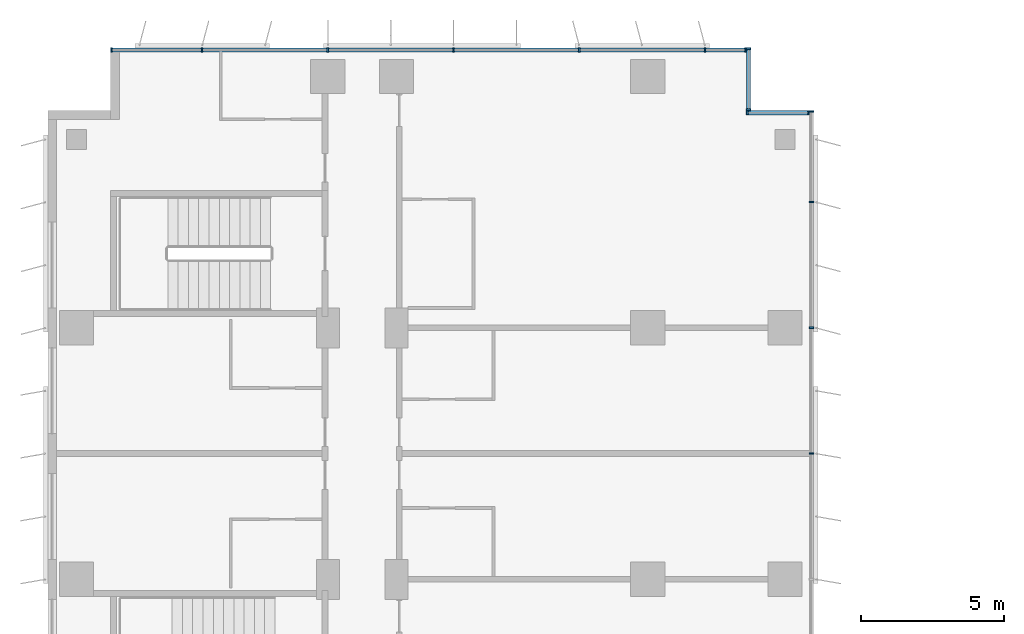
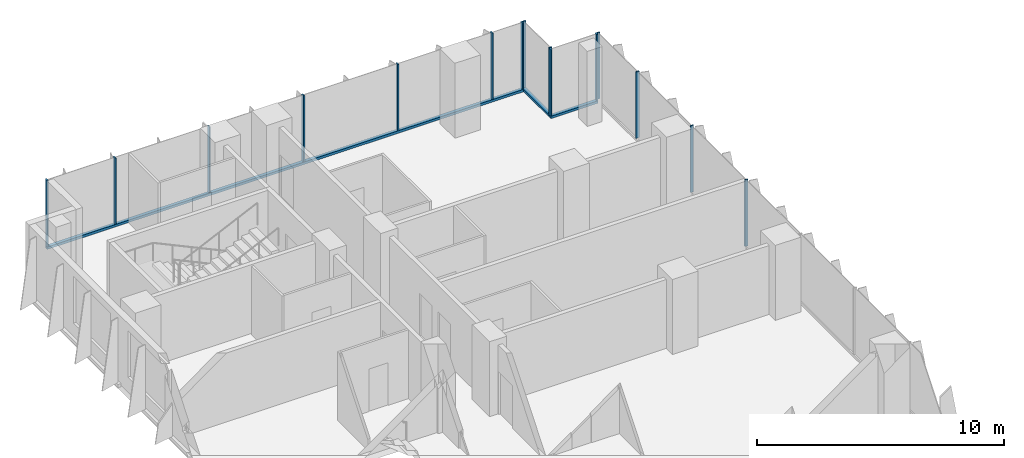
# One storey, part 9 of 23: 18 members, 4 elements without a shape of their own.
"""IFC4 building model written with IfcOpenShell, lengths in metres."""

import ifcopenshell
import ifcopenshell.guid

model = None  # the IFC model being written
_history = None  # IfcOwnerHistory: only IFC2X3 demands one
_inside = {}  # id of a spatial element -> (the spatial element, [elements in it])
_under = {}  # id of a project, library or spatial element -> (it, [spatial elements below it])
_declared = {}  # id of a project -> (the project, [libraries it declares])
_typed = {}  # id of a type object -> (the type object, [elements of that type])
_made_of = {}  # id of a material, layer set ... -> (it, [elements and type objects made of it])


def new_model(schema):
    """Start an empty IFC model of exactly this schema.

    Asked for "IFC4X3", IfcOpenShell would pick the latest addendum, in which some entities
    have other attributes; the version numbers below select the first issue.
    IFC2X3 requires an IfcOwnerHistory on every rooted entity: one is made here for all.
    """
    global model, _history
    if schema == "IFC4X3":
        model = ifcopenshell.file(schema_version=(4, 3, 0, 0))
    else:
        model = ifcopenshell.file(schema=schema)
    _inside.clear()
    _under.clear()
    _declared.clear()
    _typed.clear()
    _made_of.clear()
    _history = None
    if model.schema == "IFC2X3":
        org = make("IfcOrganization", Name="unknown")
        user = make(
            "IfcPersonAndOrganization",
            ThePerson=make("IfcPerson", FamilyName="unknown"),
            TheOrganization=org,
        )
        app = make(
            "IfcApplication",
            ApplicationDeveloper=org,
            Version="unknown",
            ApplicationFullName="unknown",
            ApplicationIdentifier="unknown",
        )
        _history = make(
            "IfcOwnerHistory",
            OwningUser=user,
            OwningApplication=app,
            ChangeAction="ADDED",
            CreationDate=0,
        )
    return model


def make(cls, **values):
    """One entity of the class cls with the attributes given. An attribute that is None is left unset."""
    return model.create_entity(
        cls, **{name: value for name, value in values.items() if value is not None}
    )


def rooted(cls, **values):
    """An entity with a GlobalId (a new one), such as an element, a storey or a relation."""
    return make(cls, GlobalId=ifcopenshell.guid.new(), OwnerHistory=_history, **values)


def si_unit(unit_type, name, prefix=None):
    """IfcSIUnit, for example si_unit("LENGTHUNIT", "METRE", prefix="MILLI")."""
    return make("IfcSIUnit", UnitType=unit_type, Prefix=prefix, Name=name)


def assignment(units):
    """IfcUnitAssignment: the units of a project."""
    return None if units is None else make("IfcUnitAssignment", Units=units)


def point(xyz):
    """IfcCartesianPoint."""
    return None if xyz is None else make("IfcCartesianPoint", Coordinates=xyz)


def direction(xyz):
    """IfcDirection."""
    return None if xyz is None else make("IfcDirection", DirectionRatios=xyz)


def frame(location, z_axis=None, x_axis=None):
    """IfcAxis2Placement3D, a coordinate frame: its origin and axes. An axis left out is left unset."""
    return make(
        "IfcAxis2Placement3D",
        Location=point(location),
        Axis=direction(z_axis),
        RefDirection=direction(x_axis),
    )


def frame_2d(location, x_axis=None):
    """IfcAxis2Placement2D, a coordinate frame in the plane: its origin and x axis."""
    return make(
        "IfcAxis2Placement2D", Location=point(location), RefDirection=direction(x_axis)
    )


def origin():
    """The frame at (0, 0, 0) with its axes left unset."""
    return frame((0.0, 0.0, 0.0))


def origin_2d():
    """The frame at (0, 0) in the plane with its x axis left unset."""
    return frame_2d((0.0, 0.0))


def place(relative_to, where):
    """IfcLocalPlacement: puts the frame where relative to a parent placement (None: the world)."""
    return make(
        "IfcLocalPlacement", PlacementRelTo=relative_to, RelativePlacement=where
    )


def context(
    kind, dimensions, precision=None, world=None, true_north=None, identifier=None
):
    """IfcGeometricRepresentationContext, for example the 3D "Model" context."""
    return make(
        "IfcGeometricRepresentationContext",
        ContextIdentifier=identifier,
        ContextType=kind,
        CoordinateSpaceDimension=dimensions,
        Precision=precision,
        WorldCoordinateSystem=world,
        TrueNorth=true_north,
    )


def subcontext(parent, identifier, kind, view, scale=None):
    """IfcGeometricRepresentationSubContext, for example "Body" below "Model"."""
    return make(
        "IfcGeometricRepresentationSubContext",
        ContextIdentifier=identifier,
        ContextType=kind,
        ParentContext=parent,
        TargetScale=scale,
        TargetView=view,
    )


def project(units=None, contexts=None):
    """IfcProject with its units and contexts."""
    return rooted(
        "IfcProject",
        Name="project",
        RepresentationContexts=contexts,
        UnitsInContext=assignment(units),
    )


def spatial(cls, under=None, at=None, **own):
    """A site, building, storey or space (cls), placed at a placement, below another one or the project."""
    s = rooted(cls, ObjectPlacement=at, **own)
    if under is not None:
        _under.setdefault(under.id(), (under, []))[1].append(s)
    return s


def profile(cls, at=None, kind="AREA", **sizes):
    """A parametric profile (cls). Its sizes go by their IFC names, for example OverallWidth=200.0."""
    return make(cls, ProfileType=kind, Position=at, **sizes)


def rectangle(**sizes):
    """IfcRectangleProfileDef."""
    return profile("IfcRectangleProfileDef", **sizes)


def extrude(swept, where, along, depth):
    """IfcExtrudedAreaSolid: the profile swept, set in the frame where, extruded along a direction by depth."""
    return make(
        "IfcExtrudedAreaSolid",
        SweptArea=swept,
        Position=where,
        ExtrudedDirection=direction(along),
        Depth=depth,
    )


def shape(context_of_items, identifier, shape_type, items):
    """IfcShapeRepresentation: the items that make up one representation, for example the "Body"."""
    return make(
        "IfcShapeRepresentation",
        ContextOfItems=context_of_items,
        RepresentationIdentifier=identifier,
        RepresentationType=shape_type,
        Items=items,
    )


def source(mapping_origin, context_of_items, identifier, shape_type, items):
    """IfcRepresentationMap: a shape defined once, which mapped items show again and again."""
    return make(
        "IfcRepresentationMap",
        MappingOrigin=mapping_origin,
        MappedRepresentation=shape(context_of_items, identifier, shape_type, items),
    )


def transform(
    local_origin,
    x_axis=None,
    y_axis=None,
    z_axis=None,
    scale=None,
    scale2=None,
    scale3=None,
    uniform=True,
):
    """IfcCartesianTransformationOperator3D, or its non-uniform kind. x_axis, y_axis, z_axis: its Axis1, 2, 3."""
    if uniform:
        return make(
            "IfcCartesianTransformationOperator3D",
            Axis1=direction(x_axis),
            Axis2=direction(y_axis),
            LocalOrigin=point(local_origin),
            Scale=scale,
            Axis3=direction(z_axis),
        )
    return make(
        "IfcCartesianTransformationOperator3DnonUniform",
        Axis1=direction(x_axis),
        Axis2=direction(y_axis),
        LocalOrigin=point(local_origin),
        Scale=scale,
        Axis3=direction(z_axis),
        Scale2=scale2,
        Scale3=scale3,
    )


def mapped(mapping_source, mapping_target):
    """IfcMappedItem: shows the shape of a source again, moved by a transform."""
    return make(
        "IfcMappedItem", MappingSource=mapping_source, MappingTarget=mapping_target
    )


def material(Name=None, Category=None):
    """IfcMaterial."""
    return make("IfcMaterial", Name=Name, Category=Category)


def material_profile(
    of_material, cross_section, Name=None, Category=None, Priority=None
):
    """IfcMaterialProfile: a cross section and its material."""
    return make(
        "IfcMaterialProfile",
        Name=Name,
        Material=of_material,
        Profile=cross_section,
        Priority=Priority,
        Category=Category,
    )


def profile_set(profiles, Name=None, composite=None):
    """IfcMaterialProfileSet."""
    return make(
        "IfcMaterialProfileSet",
        Name=Name,
        MaterialProfiles=profiles,
        CompositeProfile=composite,
    )


def made_of(thing, what):
    """Note that an element or type object is made of a material, layer set ...; save() writes the relation."""
    if what is not None:
        _made_of.setdefault(what.id(), (what, []))[1].append(thing)
    return thing


def type_object(cls, material=None, **own):
    """A type object (cls), such as IfcWallType, which elements share."""
    return made_of(rooted(cls, **own), material)


def element(
    cls,
    number,
    at=None,
    inside=None,
    cuts=None,
    type_object=None,
    material=None,
    context=None,
    identifier="Body",
    shape_type=None,
    held_by="IfcProductDefinitionShape",
    body=None,
    shapes=None,
    **own,
):
    """One element of the class cls, such as IfcWall. Its Tag is "e" and its number.

    at: its placement. inside: the storey or other place that contains it. cuts: it is an
    opening in that element (IfcRelVoidsElement). A single representation is given by context,
    identifier, shape_type and body (its items); several are given by shapes. held_by: the class
    of the entity that holds the representations. save() writes the other relations.
    """
    e = rooted(cls, Tag="e%d" % number, ObjectPlacement=at, **own)
    if body is not None:
        shapes = [shape(context, identifier, shape_type, body)]
    if shapes is not None:
        e.Representation = make(held_by, Representations=shapes)
    if inside is not None:
        _inside.setdefault(inside.id(), (inside, []))[1].append(e)
    if cuts is not None:
        rooted(
            "IfcRelVoidsElement", RelatingBuildingElement=cuts, RelatedOpeningElement=e
        )
    if type_object is not None:
        _typed.setdefault(type_object.id(), (type_object, []))[1].append(e)
    return made_of(e, material)


def aggregate(whole, parts):
    """IfcRelAggregates: a whole, such as a stair, and the parts it consists of."""
    return rooted("IfcRelAggregates", RelatingObject=whole, RelatedObjects=parts)


def save(model, path):
    """Write the relations noted so far, then the file.

    IfcRelAggregates (storeys below a building ...), IfcRelContainedInSpatialStructure (elements
    in a storey), IfcRelDefinesByType, IfcRelAssociatesMaterial and IfcRelDeclares: one each for
    every whole, place, type object, material and project.
    """
    for whole, parts in _under.values():
        aggregate(whole, parts)
    for where, things in _inside.values():
        rooted(
            "IfcRelContainedInSpatialStructure",
            RelatedElements=things,
            RelatingStructure=where,
        )
    for kind, things in _typed.values():
        rooted("IfcRelDefinesByType", RelatedObjects=things, RelatingType=kind)
    for what, things in _made_of.values():
        rooted("IfcRelAssociatesMaterial", RelatedObjects=things, RelatingMaterial=what)
    for by, libraries in _declared.values():
        rooted("IfcRelDeclares", RelatingContext=by, RelatedDefinitions=libraries)
    model.write(path)


model = new_model("IFC4")

# Units and contexts
model_context = context("Model", 3, precision=1e-05, world=origin(), true_north=direction((0.0, 1.0)))
body_context = subcontext(model_context, "Body", "Model", "MODEL_VIEW")
ifc_project = project(units=[si_unit("LENGTHUNIT", "METRE"), si_unit("AREAUNIT", "SQUARE_METRE"), si_unit("VOLUMEUNIT", "CUBIC_METRE"), si_unit("PLANEANGLEUNIT", "RADIAN"), si_unit("MASSUNIT", "GRAM", prefix="KILO")], contexts=[model_context])

# Site, building, storey
site_placement = place(None, origin())
site = spatial("IfcSite", under=ifc_project, at=site_placement, CompositionType="ELEMENT")
building_placement = place(site_placement, origin())
building = spatial("IfcBuilding", under=site, at=building_placement, Name="Kemantara Hotel Tower", CompositionType="ELEMENT")
storey_placement = place(building_placement, frame((0.0, 0.0, 114.800048828125)))
storey = spatial("IfcBuildingStorey", under=building, at=storey_placement, Name="L27", CompositionType="ELEMENT", Elevation=114.800048828125)

# Curtain wall, member
ifc_material_1 = material(Name="Low-E tinted double insulated glass 36 mm", Category="glass")
curtain_wall_type = type_object("IfcCurtainWallType", Name="TOWER CURTAIN WALL, FRONT FACES", PredefinedType="USERDEFINED", material=ifc_material_1)
curtain_wall_1_placement = place(storey_placement, origin())
curtain_wall_1 = element("IfcCurtainWall", 1, at=curtain_wall_1_placement, inside=storey, type_object=curtain_wall_type, Name="CW4 L27 T2-R01-1", ObjectType="TOWER CURTAIN WALL, FRONT FACES", PredefinedType="USERDEFINED")
ifc_material_2 = material(Name="Aluminium 6063-T6 bronze anodised", Category="aluminium")
ifc_material_profile_1 = material_profile(ifc_material_2, rectangle(XDim=0.14990234375, YDim=0.1201171875, at=origin_2d()), Name="TOWER CURTAIN WALL, FRONT FACES TRANSOM")
ifc_profile_set_1 = profile_set([ifc_material_profile_1], Name="Aluminium 6063-T6 bronze anodised")
member_type_1 = type_object("IfcMemberType", Name="TOWER CURTAIN WALL, FRONT FACES TRANSOM", PredefinedType="USERDEFINED", material=ifc_profile_set_1)
member_1_placement = place(storey_placement, frame((24.449951171875, 81.125, 0.06005859375), z_axis=(-1.0, 0.0, 0.0), x_axis=(0.0, -1.0, 0.0)))
member_1 = element("IfcMember", 2, at=member_1_placement, type_object=member_type_1, Name="CW4 sill transom T2-R01-1", ObjectType="TRANSOM", PredefinedType="USERDEFINED", context=body_context, shape_type="SweptSolid", body=[
    extrude(rectangle(XDim=0.14990234375, YDim=0.1201171875, at=origin_2d()), origin(), (0.0, 0.0, 1.0), 22.25),
])

curtain_wall_2_placement = place(storey_placement, origin())
curtain_wall_2 = element("IfcCurtainWall", 3, at=curtain_wall_2_placement, inside=storey, type_object=curtain_wall_type, Name="CW4 L27 T2-R00-1", ObjectType="TOWER CURTAIN WALL, FRONT FACES", PredefinedType="USERDEFINED")
member_2_placement = place(storey_placement, frame((24.52490234375, 79.0, 0.06005859375), z_axis=(0.0, 1.0, 0.0), x_axis=(-1.0, 0.0, 0.0)))
member_2 = element("IfcMember", 4, at=member_2_placement, type_object=member_type_1, Name="CW4 sill transom T2-R00-1", ObjectType="TRANSOM", PredefinedType="USERDEFINED", context=body_context, shape_type="SweptSolid", body=[
    extrude(rectangle(XDim=0.14990234375, YDim=0.1201171875, at=origin_2d()), origin(), (0.0, 0.0, 1.0), 2.199951171875),
])

curtain_wall_3_placement = place(storey_placement, origin())
curtain_wall_3 = element("IfcCurtainWall", 5, at=curtain_wall_3_placement, inside=storey, type_object=curtain_wall_type, Name="CW4 L27 T2-R15-1", ObjectType="TOWER CURTAIN WALL, FRONT FACES", PredefinedType="USERDEFINED")
member_3_placement = place(storey_placement, frame((26.64990234375, 78.925048828125, 0.06005859375), z_axis=(-1.0, 0.0, 0.0), x_axis=(0.0, -1.0, 0.0)))
member_3 = element("IfcMember", 6, at=member_3_placement, type_object=member_type_1, Name="CW4 sill transom T2-R15-1", ObjectType="TRANSOM", PredefinedType="USERDEFINED", context=body_context, shape_type="SweptSolid", body=[
    extrude(rectangle(XDim=0.14990234375, YDim=0.1201171875, at=origin_2d()), origin(), (0.0, 0.0, 1.0), 2.199951171875),
])

# Member
ifc_material_profile_2 = material_profile(ifc_material_2, rectangle(XDim=0.14990234375, YDim=0.06005859375, at=origin_2d()), Name="TOWER CURTAIN WALL, FRONT FACES MULLION")
ifc_profile_set_2 = profile_set([ifc_material_profile_2], Name="Aluminium 6063-T6 bronze anodised")
member_type_2 = type_object("IfcMemberType", Name="TOWER CURTAIN WALL, FRONT FACES MULLION", PredefinedType="MULLION", material=ifc_profile_set_2)
shared_shape = source(origin(), body_context, "Body", "SweptSolid", [
    extrude(rectangle(XDim=0.14990234375, YDim=0.06005859375, at=origin_2d()), origin(), (0.0, 0.0, 1.0), 3.280029296875),
])
member_4_placement = place(storey_placement, frame((24.419921875, 81.125, 0.119873046875), z_axis=(0.0, 0.0, 1.0), x_axis=(0.0, -1.0, 0.0)))
member_4 = element("IfcMember", 7, at=member_4_placement, type_object=member_type_2, Name="CW4 mullion T2-R01-1.1", PredefinedType="MULLION", context=body_context, shape_type="MappedRepresentation", body=[
    mapped(shared_shape, transform((0.0, 0.0, 0.0))),
])

member_5_placement = place(storey_placement, frame((23.0, 81.125, 0.119873046875), z_axis=(0.0, 0.0, 1.0), x_axis=(0.0, -1.0, 0.0)))
member_5 = element("IfcMember", 8, at=member_5_placement, type_object=member_type_2, Name="CW4 mullion T2-R01-1.2", PredefinedType="MULLION", context=body_context, shape_type="MappedRepresentation", body=[
    mapped(shared_shape, transform((0.0, 0.0, 0.0))),
])

member_6_placement = place(storey_placement, frame((18.60009765625, 81.125, 0.119873046875), z_axis=(0.0, 0.0, 1.0), x_axis=(0.0, -1.0, 0.0)))
member_6 = element("IfcMember", 9, at=member_6_placement, type_object=member_type_2, Name="CW4 mullion T2-R01-1.3", PredefinedType="MULLION", context=body_context, shape_type="MappedRepresentation", body=[
    mapped(shared_shape, transform((0.0, 0.0, 0.0))),
])

member_7_placement = place(storey_placement, frame((14.199951171875, 81.125, 0.119873046875), z_axis=(0.0, 0.0, 1.0), x_axis=(0.0, -1.0, 0.0)))
member_7 = element("IfcMember", 10, at=member_7_placement, type_object=member_type_2, Name="CW4 mullion T2-R01-1.4", PredefinedType="MULLION", context=body_context, shape_type="MappedRepresentation", body=[
    mapped(shared_shape, transform((0.0, 0.0, 0.0))),
])

member_8_placement = place(storey_placement, frame((9.800048828125, 81.125, 0.119873046875), z_axis=(0.0, 0.0, 1.0), x_axis=(0.0, -1.0, 0.0)))
member_8 = element("IfcMember", 11, at=member_8_placement, type_object=member_type_2, Name="CW4 mullion T2-R01-1.5", PredefinedType="MULLION", context=body_context, shape_type="MappedRepresentation", body=[
    mapped(shared_shape, transform((0.0, 0.0, 0.0))),
])

member_9_placement = place(storey_placement, frame((5.39990234375, 81.125, 0.119873046875), z_axis=(0.0, 0.0, 1.0), x_axis=(0.0, -1.0, 0.0)))
member_9 = element("IfcMember", 12, at=member_9_placement, type_object=member_type_2, Name="CW4 mullion T2-R01-1.6", PredefinedType="MULLION", context=body_context, shape_type="MappedRepresentation", body=[
    mapped(shared_shape, transform((0.0, 0.0, 0.0))),
])

member_10_placement = place(storey_placement, frame((2.22998046875, 81.125, 0.119873046875), z_axis=(0.0, 0.0, 1.0), x_axis=(0.0, -1.0, 0.0)))
member_10 = element("IfcMember", 13, at=member_10_placement, type_object=member_type_2, Name="CW4 mullion T2-R01-1.7", PredefinedType="MULLION", context=body_context, shape_type="MappedRepresentation", body=[
    mapped(shared_shape, transform((0.0, 0.0, 0.0))),
])

aggregate(curtain_wall_1, [member_1, member_4, member_5, member_6, member_7, member_8, member_9, member_10])

# Curtain wall, members
curtain_wall_4_placement = place(storey_placement, origin())
curtain_wall_4 = element("IfcCurtainWall", 14, at=curtain_wall_4_placement, inside=storey, type_object=curtain_wall_type, Name="CW4 L27 T2-R14-1", ObjectType="TOWER CURTAIN WALL, FRONT FACES", PredefinedType="USERDEFINED")
member_11_placement = place(storey_placement, frame((26.72509765625, 67.0, 0.119873046875), z_axis=(0.0, 0.0, 1.0), x_axis=(-1.0, 0.0, 0.0)))
member_11 = element("IfcMember", 15, at=member_11_placement, type_object=member_type_2, Name="CW4 mullion T2-R14-1.12", PredefinedType="MULLION", context=body_context, shape_type="MappedRepresentation", body=[
    mapped(shared_shape, transform((0.0, 0.0, 0.0))),
])
member_12_placement = place(storey_placement, frame((26.72509765625, 71.39990234375, 0.119873046875), z_axis=(0.0, 0.0, 1.0), x_axis=(-1.0, 0.0, 0.0)))
member_12 = element("IfcMember", 16, at=member_12_placement, type_object=member_type_2, Name="CW4 mullion T2-R14-1.13", PredefinedType="MULLION", context=body_context, shape_type="MappedRepresentation", body=[
    mapped(shared_shape, transform((0.0, 0.0, 0.0))),
])
member_13_placement = place(storey_placement, frame((26.72509765625, 75.800048828125, 0.119873046875), z_axis=(0.0, 0.0, 1.0), x_axis=(-1.0, 0.0, 0.0)))
member_13 = element("IfcMember", 17, at=member_13_placement, type_object=member_type_2, Name="CW4 mullion T2-R14-1.14", PredefinedType="MULLION", context=body_context, shape_type="MappedRepresentation", body=[
    mapped(shared_shape, transform((0.0, 0.0, 0.0))),
])
member_14_placement = place(storey_placement, frame((26.72509765625, 78.969970703125, 0.119873046875), z_axis=(0.0, 0.0, 1.0), x_axis=(-1.0, 0.0, 0.0)))
member_14 = element("IfcMember", 18, at=member_14_placement, type_object=member_type_2, Name="CW4 mullion T2-R14-1.15", PredefinedType="MULLION", context=body_context, shape_type="MappedRepresentation", body=[
    mapped(shared_shape, transform((0.0, 0.0, 0.0))),
])
aggregate(curtain_wall_4, [member_11, member_12, member_13, member_14])

# Member
member_15_placement = place(storey_placement, frame((24.52490234375, 79.030029296875, 0.119873046875), z_axis=(0.0, 0.0, 1.0), x_axis=(-1.0, 0.0, 0.0)))
member_15 = element("IfcMember", 19, at=member_15_placement, type_object=member_type_2, Name="CW4 mullion T2-R00-1.1", PredefinedType="MULLION", context=body_context, shape_type="MappedRepresentation", body=[
    mapped(shared_shape, transform((0.0, 0.0, 0.0))),
])

member_16_placement = place(storey_placement, frame((24.52490234375, 81.169921875, 0.119873046875), z_axis=(0.0, 0.0, 1.0), x_axis=(-1.0, 0.0, 0.0)))
member_16 = element("IfcMember", 20, at=member_16_placement, type_object=member_type_2, Name="CW4 mullion T2-R00-1.2", PredefinedType="MULLION", context=body_context, shape_type="MappedRepresentation", body=[
    mapped(shared_shape, transform((0.0, 0.0, 0.0))),
])

aggregate(curtain_wall_2, [member_2, member_15, member_16])

member_17_placement = place(storey_placement, frame((26.6201171875, 78.925048828125, 0.119873046875), z_axis=(0.0, 0.0, 1.0), x_axis=(0.0, -1.0, 0.0)))
member_17 = element("IfcMember", 21, at=member_17_placement, type_object=member_type_2, Name="CW4 mullion T2-R15-1.1", PredefinedType="MULLION", context=body_context, shape_type="MappedRepresentation", body=[
    mapped(shared_shape, transform((0.0, 0.0, 0.0))),
])

member_18_placement = place(storey_placement, frame((24.47998046875, 78.925048828125, 0.119873046875), z_axis=(0.0, 0.0, 1.0), x_axis=(0.0, -1.0, 0.0)))
member_18 = element("IfcMember", 22, at=member_18_placement, type_object=member_type_2, Name="CW4 mullion T2-R15-1.2", PredefinedType="MULLION", context=body_context, shape_type="MappedRepresentation", body=[
    mapped(shared_shape, transform((0.0, 0.0, 0.0))),
])

aggregate(curtain_wall_3, [member_3, member_17, member_18])

save(model, "model.ifc")
